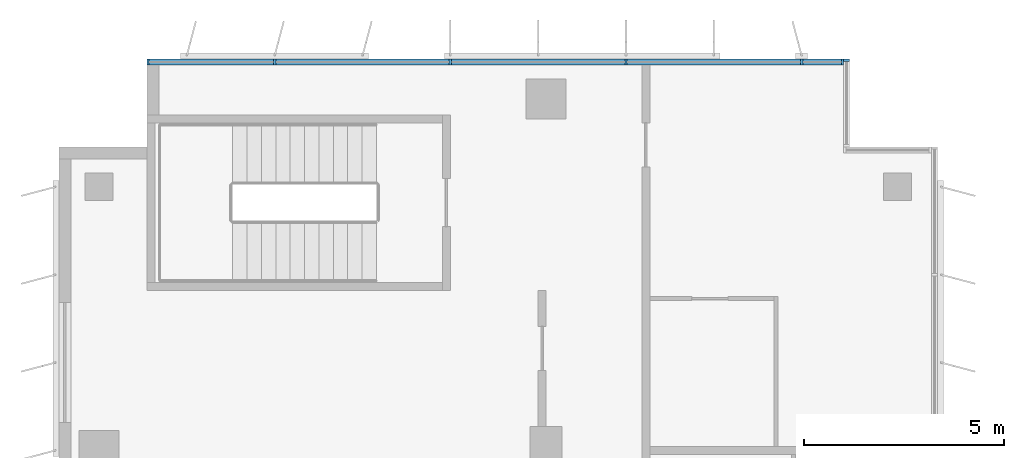
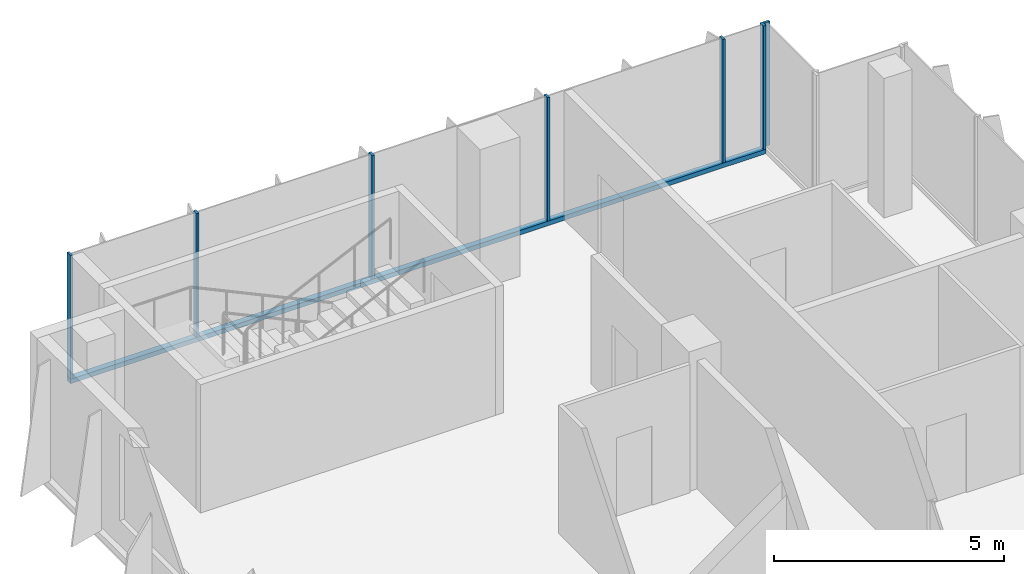
# One storey, part 9 of 21: 8 members, 2 elements without a shape of their own.
"""IFC4 building model written with IfcOpenShell, lengths in metres."""

import ifcopenshell
import ifcopenshell.guid

model = None  # the IFC model being written
_history = None  # IfcOwnerHistory: only IFC2X3 demands one
_inside = {}  # id of a spatial element -> (the spatial element, [elements in it])
_under = {}  # id of a project, library or spatial element -> (it, [spatial elements below it])
_declared = {}  # id of a project -> (the project, [libraries it declares])
_typed = {}  # id of a type object -> (the type object, [elements of that type])
_made_of = {}  # id of a material, layer set ... -> (it, [elements and type objects made of it])


def new_model(schema):
    """Start an empty IFC model of exactly this schema.

    Asked for "IFC4X3", IfcOpenShell would pick the latest addendum, in which some entities
    have other attributes; the version numbers below select the first issue.
    IFC2X3 requires an IfcOwnerHistory on every rooted entity: one is made here for all.
    """
    global model, _history
    if schema == "IFC4X3":
        model = ifcopenshell.file(schema_version=(4, 3, 0, 0))
    else:
        model = ifcopenshell.file(schema=schema)
    _inside.clear()
    _under.clear()
    _declared.clear()
    _typed.clear()
    _made_of.clear()
    _history = None
    if model.schema == "IFC2X3":
        org = make("IfcOrganization", Name="unknown")
        user = make(
            "IfcPersonAndOrganization",
            ThePerson=make("IfcPerson", FamilyName="unknown"),
            TheOrganization=org,
        )
        app = make(
            "IfcApplication",
            ApplicationDeveloper=org,
            Version="unknown",
            ApplicationFullName="unknown",
            ApplicationIdentifier="unknown",
        )
        _history = make(
            "IfcOwnerHistory",
            OwningUser=user,
            OwningApplication=app,
            ChangeAction="ADDED",
            CreationDate=0,
        )
    return model


def make(cls, **values):
    """One entity of the class cls with the attributes given. An attribute that is None is left unset."""
    return model.create_entity(
        cls, **{name: value for name, value in values.items() if value is not None}
    )


def rooted(cls, **values):
    """An entity with a GlobalId (a new one), such as an element, a storey or a relation."""
    return make(cls, GlobalId=ifcopenshell.guid.new(), OwnerHistory=_history, **values)


def si_unit(unit_type, name, prefix=None):
    """IfcSIUnit, for example si_unit("LENGTHUNIT", "METRE", prefix="MILLI")."""
    return make("IfcSIUnit", UnitType=unit_type, Prefix=prefix, Name=name)


def assignment(units):
    """IfcUnitAssignment: the units of a project."""
    return None if units is None else make("IfcUnitAssignment", Units=units)


def point(xyz):
    """IfcCartesianPoint."""
    return None if xyz is None else make("IfcCartesianPoint", Coordinates=xyz)


def direction(xyz):
    """IfcDirection."""
    return None if xyz is None else make("IfcDirection", DirectionRatios=xyz)


def frame(location, z_axis=None, x_axis=None):
    """IfcAxis2Placement3D, a coordinate frame: its origin and axes. An axis left out is left unset."""
    return make(
        "IfcAxis2Placement3D",
        Location=point(location),
        Axis=direction(z_axis),
        RefDirection=direction(x_axis),
    )


def frame_2d(location, x_axis=None):
    """IfcAxis2Placement2D, a coordinate frame in the plane: its origin and x axis."""
    return make(
        "IfcAxis2Placement2D", Location=point(location), RefDirection=direction(x_axis)
    )


def origin():
    """The frame at (0, 0, 0) with its axes left unset."""
    return frame((0.0, 0.0, 0.0))


def origin_2d():
    """The frame at (0, 0) in the plane with its x axis left unset."""
    return frame_2d((0.0, 0.0))


def place(relative_to, where):
    """IfcLocalPlacement: puts the frame where relative to a parent placement (None: the world)."""
    return make(
        "IfcLocalPlacement", PlacementRelTo=relative_to, RelativePlacement=where
    )


def context(
    kind, dimensions, precision=None, world=None, true_north=None, identifier=None
):
    """IfcGeometricRepresentationContext, for example the 3D "Model" context."""
    return make(
        "IfcGeometricRepresentationContext",
        ContextIdentifier=identifier,
        ContextType=kind,
        CoordinateSpaceDimension=dimensions,
        Precision=precision,
        WorldCoordinateSystem=world,
        TrueNorth=true_north,
    )


def subcontext(parent, identifier, kind, view, scale=None):
    """IfcGeometricRepresentationSubContext, for example "Body" below "Model"."""
    return make(
        "IfcGeometricRepresentationSubContext",
        ContextIdentifier=identifier,
        ContextType=kind,
        ParentContext=parent,
        TargetScale=scale,
        TargetView=view,
    )


def project(units=None, contexts=None):
    """IfcProject with its units and contexts."""
    return rooted(
        "IfcProject",
        Name="project",
        RepresentationContexts=contexts,
        UnitsInContext=assignment(units),
    )


def spatial(cls, under=None, at=None, **own):
    """A site, building, storey or space (cls), placed at a placement, below another one or the project."""
    s = rooted(cls, ObjectPlacement=at, **own)
    if under is not None:
        _under.setdefault(under.id(), (under, []))[1].append(s)
    return s


def profile(cls, at=None, kind="AREA", **sizes):
    """A parametric profile (cls). Its sizes go by their IFC names, for example OverallWidth=200.0."""
    return make(cls, ProfileType=kind, Position=at, **sizes)


def rectangle(**sizes):
    """IfcRectangleProfileDef."""
    return profile("IfcRectangleProfileDef", **sizes)


def extrude(swept, where, along, depth):
    """IfcExtrudedAreaSolid: the profile swept, set in the frame where, extruded along a direction by depth."""
    return make(
        "IfcExtrudedAreaSolid",
        SweptArea=swept,
        Position=where,
        ExtrudedDirection=direction(along),
        Depth=depth,
    )


def shape(context_of_items, identifier, shape_type, items):
    """IfcShapeRepresentation: the items that make up one representation, for example the "Body"."""
    return make(
        "IfcShapeRepresentation",
        ContextOfItems=context_of_items,
        RepresentationIdentifier=identifier,
        RepresentationType=shape_type,
        Items=items,
    )


def source(mapping_origin, context_of_items, identifier, shape_type, items):
    """IfcRepresentationMap: a shape defined once, which mapped items show again and again."""
    return make(
        "IfcRepresentationMap",
        MappingOrigin=mapping_origin,
        MappedRepresentation=shape(context_of_items, identifier, shape_type, items),
    )


def transform(
    local_origin,
    x_axis=None,
    y_axis=None,
    z_axis=None,
    scale=None,
    scale2=None,
    scale3=None,
    uniform=True,
):
    """IfcCartesianTransformationOperator3D, or its non-uniform kind. x_axis, y_axis, z_axis: its Axis1, 2, 3."""
    if uniform:
        return make(
            "IfcCartesianTransformationOperator3D",
            Axis1=direction(x_axis),
            Axis2=direction(y_axis),
            LocalOrigin=point(local_origin),
            Scale=scale,
            Axis3=direction(z_axis),
        )
    return make(
        "IfcCartesianTransformationOperator3DnonUniform",
        Axis1=direction(x_axis),
        Axis2=direction(y_axis),
        LocalOrigin=point(local_origin),
        Scale=scale,
        Axis3=direction(z_axis),
        Scale2=scale2,
        Scale3=scale3,
    )


def mapped(mapping_source, mapping_target):
    """IfcMappedItem: shows the shape of a source again, moved by a transform."""
    return make(
        "IfcMappedItem", MappingSource=mapping_source, MappingTarget=mapping_target
    )


def material(Name=None, Category=None):
    """IfcMaterial."""
    return make("IfcMaterial", Name=Name, Category=Category)


def material_profile(
    of_material, cross_section, Name=None, Category=None, Priority=None
):
    """IfcMaterialProfile: a cross section and its material."""
    return make(
        "IfcMaterialProfile",
        Name=Name,
        Material=of_material,
        Profile=cross_section,
        Priority=Priority,
        Category=Category,
    )


def profile_set(profiles, Name=None, composite=None):
    """IfcMaterialProfileSet."""
    return make(
        "IfcMaterialProfileSet",
        Name=Name,
        MaterialProfiles=profiles,
        CompositeProfile=composite,
    )


def made_of(thing, what):
    """Note that an element or type object is made of a material, layer set ...; save() writes the relation."""
    if what is not None:
        _made_of.setdefault(what.id(), (what, []))[1].append(thing)
    return thing


def type_object(cls, material=None, **own):
    """A type object (cls), such as IfcWallType, which elements share."""
    return made_of(rooted(cls, **own), material)


def element(
    cls,
    number,
    at=None,
    inside=None,
    cuts=None,
    type_object=None,
    material=None,
    context=None,
    identifier="Body",
    shape_type=None,
    held_by="IfcProductDefinitionShape",
    body=None,
    shapes=None,
    **own,
):
    """One element of the class cls, such as IfcWall. Its Tag is "e" and its number.

    at: its placement. inside: the storey or other place that contains it. cuts: it is an
    opening in that element (IfcRelVoidsElement). A single representation is given by context,
    identifier, shape_type and body (its items); several are given by shapes. held_by: the class
    of the entity that holds the representations. save() writes the other relations.
    """
    e = rooted(cls, Tag="e%d" % number, ObjectPlacement=at, **own)
    if body is not None:
        shapes = [shape(context, identifier, shape_type, body)]
    if shapes is not None:
        e.Representation = make(held_by, Representations=shapes)
    if inside is not None:
        _inside.setdefault(inside.id(), (inside, []))[1].append(e)
    if cuts is not None:
        rooted(
            "IfcRelVoidsElement", RelatingBuildingElement=cuts, RelatedOpeningElement=e
        )
    if type_object is not None:
        _typed.setdefault(type_object.id(), (type_object, []))[1].append(e)
    return made_of(e, material)


def aggregate(whole, parts):
    """IfcRelAggregates: a whole, such as a stair, and the parts it consists of."""
    return rooted("IfcRelAggregates", RelatingObject=whole, RelatedObjects=parts)


def save(model, path):
    """Write the relations noted so far, then the file.

    IfcRelAggregates (storeys below a building ...), IfcRelContainedInSpatialStructure (elements
    in a storey), IfcRelDefinesByType, IfcRelAssociatesMaterial and IfcRelDeclares: one each for
    every whole, place, type object, material and project.
    """
    for whole, parts in _under.values():
        aggregate(whole, parts)
    for where, things in _inside.values():
        rooted(
            "IfcRelContainedInSpatialStructure",
            RelatedElements=things,
            RelatingStructure=where,
        )
    for kind, things in _typed.values():
        rooted("IfcRelDefinesByType", RelatedObjects=things, RelatingType=kind)
    for what, things in _made_of.values():
        rooted("IfcRelAssociatesMaterial", RelatedObjects=things, RelatingMaterial=what)
    for by, libraries in _declared.values():
        rooted("IfcRelDeclares", RelatingContext=by, RelatedDefinitions=libraries)
    model.write(path)


model = new_model("IFC4")

# Units and contexts
model_context = context("Model", 3, precision=1e-05, world=origin(), true_north=direction((0.0, 1.0)))
body_context = subcontext(model_context, "Body", "Model", "MODEL_VIEW")
ifc_project = project(units=[si_unit("LENGTHUNIT", "METRE"), si_unit("AREAUNIT", "SQUARE_METRE"), si_unit("VOLUMEUNIT", "CUBIC_METRE"), si_unit("PLANEANGLEUNIT", "RADIAN"), si_unit("MASSUNIT", "GRAM", prefix="KILO")], contexts=[model_context])

# Site, building, storey
site_placement = place(None, origin())
site = spatial("IfcSite", under=ifc_project, at=site_placement, CompositionType="ELEMENT")
building_placement = place(site_placement, origin())
building = spatial("IfcBuilding", under=site, at=building_placement, Name="Kemantara Hotel Tower", CompositionType="ELEMENT")
storey_placement = place(building_placement, frame((0.0, 0.0, 179.0)))
storey = spatial("IfcBuildingStorey", under=building, at=storey_placement, Name="L44", CompositionType="ELEMENT", Elevation=179.0)

# Curtain wall, members
ifc_material_1 = material(Name="Low-E tinted double insulated glass 36 mm", Category="glass")
curtain_wall_type = type_object("IfcCurtainWallType", Name="TOWER CURTAIN WALL, FRONT FACES", PredefinedType="USERDEFINED", material=ifc_material_1)
curtain_wall_1_placement = place(storey_placement, origin())
curtain_wall_1 = element("IfcCurtainWall", 1, at=curtain_wall_1_placement, inside=storey, type_object=curtain_wall_type, Name="CW4 L44 T3-R02-1", ObjectType="TOWER CURTAIN WALL, FRONT FACES", PredefinedType="USERDEFINED")
ifc_material_2 = material(Name="Aluminium 6063-T6 bronze anodised", Category="aluminium")
ifc_material_profile_1 = material_profile(ifc_material_2, rectangle(XDim=0.14990234375, YDim=0.1201171875, at=origin_2d()), Name="TOWER CURTAIN WALL, FRONT FACES TRANSOM")
ifc_profile_set_1 = profile_set([ifc_material_profile_1], Name="Aluminium 6063-T6 bronze anodised")
member_type_1 = type_object("IfcMemberType", Name="TOWER CURTAIN WALL, FRONT FACES TRANSOM", PredefinedType="USERDEFINED", material=ifc_profile_set_1)
member_1_placement = place(storey_placement, frame((19.64990234375, 63.52490234375, 0.06005859375), z_axis=(-1.0, 0.0, 0.0), x_axis=(0.0, -1.0, 0.0)))
member_1 = element("IfcMember", 2, at=member_1_placement, type_object=member_type_1, Name="CW4 sill transom T3-R02-1", ObjectType="TRANSOM", PredefinedType="USERDEFINED", context=body_context, shape_type="SweptSolid", body=[
    extrude(rectangle(XDim=0.14990234375, YDim=0.1201171875, at=origin_2d()), origin(), (0.0, 0.0, 1.0), 17.449951171875),
])
ifc_material_profile_2 = material_profile(ifc_material_2, rectangle(XDim=0.14990234375, YDim=0.06005859375, at=origin_2d()), Name="TOWER CURTAIN WALL, FRONT FACES MULLION")
ifc_profile_set_2 = profile_set([ifc_material_profile_2], Name="Aluminium 6063-T6 bronze anodised")
member_type_2 = type_object("IfcMemberType", Name="TOWER CURTAIN WALL, FRONT FACES MULLION", PredefinedType="MULLION", material=ifc_profile_set_2)
shared_shape = source(origin(), body_context, "Body", "SweptSolid", [
    extrude(rectangle(XDim=0.14990234375, YDim=0.06005859375, at=origin_2d()), origin(), (0.0, 0.0, 1.0), 3.27978515625),
])
member_2_placement = place(storey_placement, frame((19.6201171875, 63.52490234375, 0.1201171875), z_axis=(0.0, 0.0, 1.0), x_axis=(0.0, -1.0, 0.0)))
member_2 = element("IfcMember", 3, at=member_2_placement, type_object=member_type_2, Name="CW4 mullion T3-R02-1.1", PredefinedType="MULLION", context=body_context, shape_type="MappedRepresentation", body=[
    mapped(shared_shape, transform((0.0, 0.0, 0.0))),
])
member_3_placement = place(storey_placement, frame((18.60009765625, 63.52490234375, 0.1201171875), z_axis=(0.0, 0.0, 1.0), x_axis=(0.0, -1.0, 0.0)))
member_3 = element("IfcMember", 4, at=member_3_placement, type_object=member_type_2, Name="CW4 mullion T3-R02-1.2", PredefinedType="MULLION", context=body_context, shape_type="MappedRepresentation", body=[
    mapped(shared_shape, transform((0.0, 0.0, 0.0))),
])
member_4_placement = place(storey_placement, frame((14.199951171875, 63.52490234375, 0.1201171875), z_axis=(0.0, 0.0, 1.0), x_axis=(0.0, -1.0, 0.0)))
member_4 = element("IfcMember", 5, at=member_4_placement, type_object=member_type_2, Name="CW4 mullion T3-R02-1.3", PredefinedType="MULLION", context=body_context, shape_type="MappedRepresentation", body=[
    mapped(shared_shape, transform((0.0, 0.0, 0.0))),
])
member_5_placement = place(storey_placement, frame((9.800048828125, 63.52490234375, 0.1201171875), z_axis=(0.0, 0.0, 1.0), x_axis=(0.0, -1.0, 0.0)))
member_5 = element("IfcMember", 6, at=member_5_placement, type_object=member_type_2, Name="CW4 mullion T3-R02-1.4", PredefinedType="MULLION", context=body_context, shape_type="MappedRepresentation", body=[
    mapped(shared_shape, transform((0.0, 0.0, 0.0))),
])
member_6_placement = place(storey_placement, frame((5.39990234375, 63.52490234375, 0.1201171875), z_axis=(0.0, 0.0, 1.0), x_axis=(0.0, -1.0, 0.0)))
member_6 = element("IfcMember", 7, at=member_6_placement, type_object=member_type_2, Name="CW4 mullion T3-R02-1.5", PredefinedType="MULLION", context=body_context, shape_type="MappedRepresentation", body=[
    mapped(shared_shape, transform((0.0, 0.0, 0.0))),
])
member_7_placement = place(storey_placement, frame((2.22998046875, 63.52490234375, 0.1201171875), z_axis=(0.0, 0.0, 1.0), x_axis=(0.0, -1.0, 0.0)))
member_7 = element("IfcMember", 8, at=member_7_placement, type_object=member_type_2, Name="CW4 mullion T3-R02-1.6", PredefinedType="MULLION", context=body_context, shape_type="MappedRepresentation", body=[
    mapped(shared_shape, transform((0.0, 0.0, 0.0))),
])
aggregate(curtain_wall_1, [member_1, member_2, member_3, member_4, member_5, member_6, member_7])

# Curtain wall, member
curtain_wall_2_placement = place(storey_placement, origin())
curtain_wall_2 = element("IfcCurtainWall", 9, at=curtain_wall_2_placement, inside=storey, type_object=curtain_wall_type, Name="CW4 L44 T3-R01-1", ObjectType="TOWER CURTAIN WALL, FRONT FACES", PredefinedType="USERDEFINED")
member_8_placement = place(storey_placement, frame((19.72509765625, 63.570068359375, 0.1201171875), z_axis=(0.0, 0.0, 1.0), x_axis=(-1.0, 0.0, 0.0)))
member_8 = element("IfcMember", 10, at=member_8_placement, type_object=member_type_2, Name="CW4 mullion T3-R01-1.2", PredefinedType="MULLION", context=body_context, shape_type="MappedRepresentation", body=[
    mapped(shared_shape, transform((0.0, 0.0, 0.0))),
])
aggregate(curtain_wall_2, [member_8])

save(model, "model.ifc")
